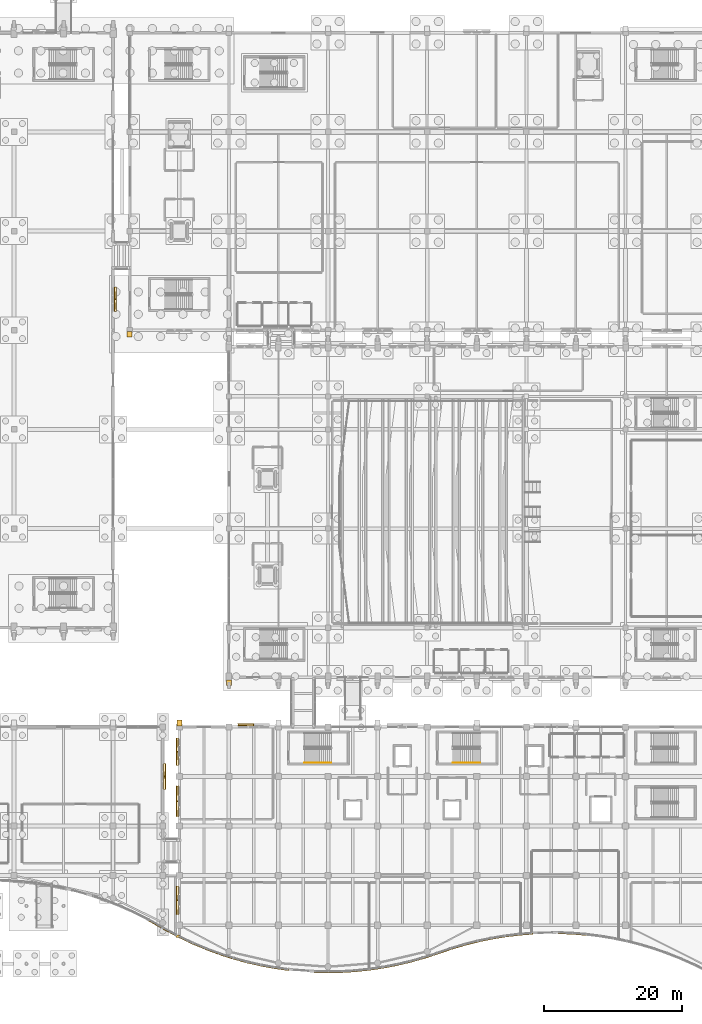
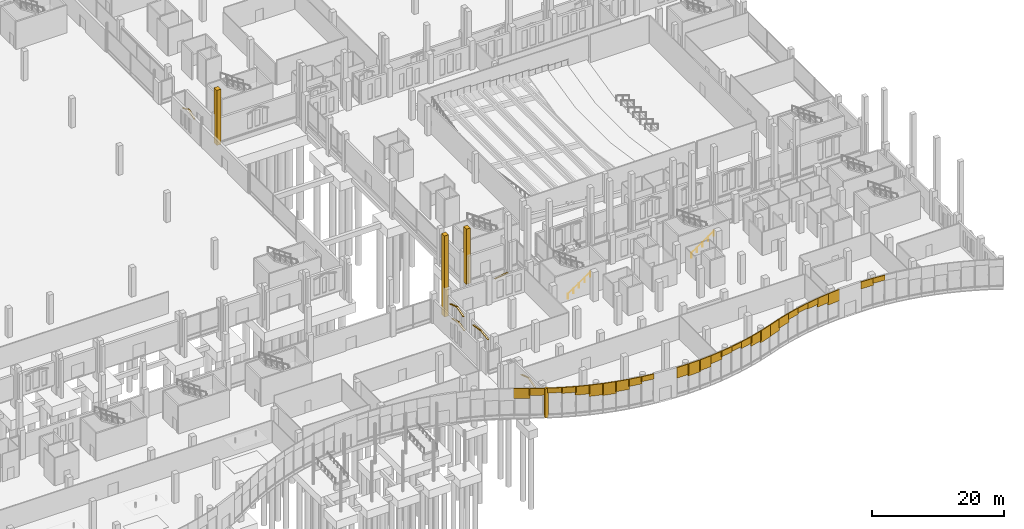
# One storey, part 178 of 192: 43 coverings, 2 railings.
"""IFC4 building model written with IfcOpenShell, lengths in metres."""

from ifc_helpers import new_model, si_unit, direction, frame, origin, origin_2d, place, context, subcontext, project, spatial, polyline, circle, outline, extrude, material, layer, layer_set, type_object, element, save


model = new_model("IFC4")

# Units and contexts
model_context = context("Model", 3, precision=1e-05, world=origin(), true_north=direction((0.0, 1.0)))
body_context = subcontext(model_context, "Body", "Model", "MODEL_VIEW")
ifc_project = project(units=[si_unit("LENGTHUNIT", "METRE"), si_unit("AREAUNIT", "SQUARE_METRE"), si_unit("VOLUMEUNIT", "CUBIC_METRE"), si_unit("PLANEANGLEUNIT", "RADIAN"), si_unit("MASSUNIT", "GRAM", prefix="KILO")], contexts=[model_context])

# Site, building, storey
site_placement = place(None, origin())
site = spatial("IfcSite", under=ifc_project, at=site_placement, CompositionType="ELEMENT")
building_placement = place(site_placement, origin())
building = spatial("IfcBuilding", under=site, at=building_placement, Name="Cendralis Lancet Convention Centre", CompositionType="ELEMENT")
storey_placement = place(building_placement, origin())
storey = spatial("IfcBuildingStorey", under=building, at=storey_placement, Name="L00", CompositionType="ELEMENT", Elevation=0.0)

# Coverings
ifc_material_1 = material(Name="Warm buff sandstone chevron cassette", Category="masonry")
ifc_layer = layer(ifc_material_1, 0.06005859375, Name="Warm buff sandstone chevron cassette")
ifc_layer_set = layer_set([ifc_layer], Name="Warm buff sandstone chevron cassette")
covering_type = type_object("IfcCoveringType", Name="ARC-CV-CLAD1", PredefinedType="CLADDING", material=ifc_layer_set)
covering_1_placement = place(storey_placement, frame((0.0, 0.0, 3.574951171875)))
element("IfcCovering", 1, at=covering_1_placement, inside=storey, type_object=covering_type, Name="South Wave Stone Spandrel Fascia WP-064-WP-065", PredefinedType="CLADDING", context=body_context, shape_type="SweptSolid", body=[
    extrude(outline(polyline([(127.43212890625, 7.88916015625), (129.60498046875, 6.654296875), (129.68408203125, 6.793212890625), (127.51123046875, 8.0283203125), (127.43212890625, 7.88916015625)])), origin(), (0.0, 0.0, 1.0), 1.824951171875),
])
covering_2_placement = place(storey_placement, frame((0.0, 0.0, 4.133056640625)))
element("IfcCovering", 2, at=covering_2_placement, inside=storey, type_object=covering_type, Name="South Wave Stone Spandrel Fascia WP-065-WP-066", PredefinedType="CLADDING", context=body_context, shape_type="SweptSolid", body=[
    extrude(outline(polyline([(129.458984375, 6.735107421875), (131.558837890625, 5.593505859375), (131.63525390625, 5.734130859375), (129.535400390625, 6.875732421875), (129.458984375, 6.735107421875)])), origin(), (0.0, 0.0, 1.0), 1.266845703125),
])
covering_3_placement = place(storey_placement, frame((0.0, 0.0, 4.501953125)))
element("IfcCovering", 3, at=covering_3_placement, inside=storey, type_object=covering_type, Name="South Wave Stone Spandrel Fascia WP-067-WP-068", PredefinedType="CLADDING", context=body_context, shape_type="SweptSolid", body=[
    extrude(outline(polyline([(131.927001953125, 5.406494140625), (133.972900390625, 4.43603515625), (134.04150390625, 4.58056640625), (131.99560546875, 5.551025390625), (131.927001953125, 5.406494140625)])), origin(), (0.0, 0.0, 1.0), 0.89794921875),
])
covering_4_placement = place(storey_placement, frame((0.0, 0.0, 4.322021484375)))
element("IfcCovering", 4, at=covering_4_placement, inside=storey, type_object=covering_type, Name="South Wave Stone Spandrel Fascia WP-068-WP-069", PredefinedType="CLADDING", context=body_context, shape_type="SweptSolid", body=[
    extrude(outline(polyline([(133.82470703125, 4.502197265625), (135.950439453125, 3.6083984375), (136.012451171875, 3.755859375), (133.88671875, 4.649658203125), (133.82470703125, 4.502197265625)])), origin(), (0.0, 0.0, 1.0), 1.077880859375),
])
covering_5_placement = place(storey_placement, frame((0.0, 0.0, 3.81396484375)))
element("IfcCovering", 5, at=covering_5_placement, inside=storey, type_object=covering_type, Name="South Wave Stone Spandrel Fascia WP-069-WP-070", PredefinedType="CLADDING", context=body_context, shape_type="SweptSolid", body=[
    extrude(outline(polyline([(135.79931640625, 3.66796875), (137.9287109375, 2.882080078125), (137.984130859375, 3.0322265625), (135.854736328125, 3.818115234375), (135.79931640625, 3.66796875)])), origin(), (0.0, 0.0, 1.0), 1.5859375),
])
covering_6_placement = place(storey_placement, frame((0.0, 0.0, 3.33203125)))
element("IfcCovering", 6, at=covering_6_placement, inside=storey, type_object=covering_type, Name="South Wave Stone Spandrel Fascia WP-070-WP-071", PredefinedType="CLADDING", context=body_context, shape_type="SweptSolid", body=[
    extrude(outline(polyline([(137.775146484375, 2.93505859375), (139.906005859375, 2.251220703125), (139.954833984375, 2.403564453125), (137.823974609375, 3.08740234375), (137.775146484375, 2.93505859375)])), origin(), (0.0, 0.0, 1.0), 2.06787109375),
])
covering_7_placement = place(storey_placement, frame((0.0, 0.0, 3.208984375)))
element("IfcCovering", 7, at=covering_7_placement, inside=storey, type_object=covering_type, Name="South Wave Stone Spandrel Fascia WP-071-WP-072", PredefinedType="CLADDING", context=body_context, shape_type="SweptSolid", body=[
    extrude(outline(polyline([(139.75, 2.297607421875), (141.883056640625, 1.712646484375), (141.92529296875, 1.866943359375), (139.79248046875, 2.451904296875), (139.75, 2.297607421875)])), origin(), (0.0, 0.0, 1.0), 2.19091796875),
])
covering_8_placement = place(storey_placement, frame((0.0, 0.0, 3.530029296875)))
element("IfcCovering", 8, at=covering_8_placement, inside=storey, type_object=covering_type, Name="South Wave Stone Spandrel Fascia WP-072-WP-073", PredefinedType="CLADDING", context=body_context, shape_type="SweptSolid", body=[
    extrude(outline(polyline([(141.72509765625, 1.752197265625), (143.85986328125, 1.26318359375), (143.895751953125, 1.419189453125), (141.760986328125, 1.908203125), (141.72509765625, 1.752197265625)])), origin(), (0.0, 0.0, 1.0), 1.869873046875),
])
covering_9_placement = place(storey_placement, frame((0.0, 0.0, 4.073974609375)))
element("IfcCovering", 9, at=covering_9_placement, inside=storey, type_object=covering_type, Name="South Wave Stone Spandrel Fascia WP-073-WP-074", PredefinedType="CLADDING", context=body_context, shape_type="SweptSolid", body=[
    extrude(outline(polyline([(143.7001953125, 1.29638671875), (145.83740234375, 0.8994140625), (145.86669921875, 1.056640625), (143.7294921875, 1.45361328125), (143.7001953125, 1.29638671875)])), origin(), (0.0, 0.0, 1.0), 1.325927734375),
])
covering_10_placement = place(storey_placement, frame((0.0, 0.0, 4.4619140625)))
element("IfcCovering", 10, at=covering_10_placement, inside=storey, type_object=covering_type, Name="South Wave Stone Spandrel Fascia WP-074-WP-075", PredefinedType="CLADDING", context=body_context, shape_type="SweptSolid", body=[
    extrude(outline(polyline([(145.677001953125, 0.92578125), (147.814208984375, 0.62060546875), (147.836669921875, 0.779052734375), (145.699462890625, 1.083984375), (145.677001953125, 0.92578125)])), origin(), (0.0, 0.0, 1.0), 0.93798828125),
])
covering_11_placement = place(storey_placement, frame((0.0, 0.0, 3.45703125)))
element("IfcCovering", 11, at=covering_11_placement, inside=storey, type_object=covering_type, Name="South Wave Stone Spandrel Fascia WP-077-WP-078", PredefinedType="CLADDING", context=body_context, shape_type="SweptSolid", body=[
    extrude(outline(polyline([(151.60400390625, 0.317626953125), (153.743896484375, 0.2783203125), (153.746826171875, 0.4384765625), (151.606689453125, 0.4775390625), (151.60400390625, 0.317626953125)])), origin(), (0.0, 0.0, 1.0), 1.94287109375),
])
covering_12_placement = place(storey_placement, frame((0.0, 0.0, 3.197021484375)))
element("IfcCovering", 12, at=covering_12_placement, inside=storey, type_object=covering_type, Name="South Wave Stone Spandrel Fascia WP-078-WP-079", PredefinedType="CLADDING", context=body_context, shape_type="SweptSolid", body=[
    extrude(outline(polyline([(153.580810546875, 0.278076171875), (155.719970703125, 0.326904296875), (155.71630859375, 0.48681640625), (153.5771484375, 0.43798828125), (153.580810546875, 0.278076171875)])), origin(), (0.0, 0.0, 1.0), 2.202880859375),
])
covering_13_placement = place(storey_placement, frame((0.0, 0.0, 3.39111328125)))
element("IfcCovering", 13, at=covering_13_placement, inside=storey, type_object=covering_type, Name="South Wave Stone Spandrel Fascia WP-079-WP-080", PredefinedType="CLADDING", context=body_context, shape_type="SweptSolid", body=[
    extrude(outline(polyline([(155.55712890625, 0.31982421875), (157.69580078125, 0.456787109375), (157.685302734375, 0.616455078125), (155.546875, 0.4794921875), (155.55712890625, 0.31982421875)])), origin(), (0.0, 0.0, 1.0), 2.0087890625),
])
covering_14_placement = place(storey_placement, frame((0.0, 0.0, 3.903076171875)))
element("IfcCovering", 14, at=covering_14_placement, inside=storey, type_object=covering_type, Name="South Wave Stone Spandrel Fascia WP-080-WP-081", PredefinedType="CLADDING", context=body_context, shape_type="SweptSolid", body=[
    extrude(outline(polyline([(157.533447265625, 0.443115234375), (159.67138671875, 0.668701171875), (159.654541015625, 0.827880859375), (157.5166015625, 0.602294921875), (157.533447265625, 0.443115234375)])), origin(), (0.0, 0.0, 1.0), 1.496826171875),
])
covering_15_placement = place(storey_placement, frame((0.0, 0.0, 4.3779296875)))
element("IfcCovering", 15, at=covering_15_placement, inside=storey, type_object=covering_type, Name="South Wave Stone Spandrel Fascia WP-081-WP-082", PredefinedType="CLADDING", context=body_context, shape_type="SweptSolid", body=[
    extrude(outline(polyline([(159.509765625, 0.6484375), (161.64697265625, 0.963134765625), (161.62353515625, 1.12158203125), (159.486328125, 0.806640625), (159.509765625, 0.6484375)])), origin(), (0.0, 0.0, 1.0), 1.02197265625),
])
covering_16_placement = place(storey_placement, frame((0.0, 0.0, 4.487060546875)))
element("IfcCovering", 16, at=covering_16_placement, inside=storey, type_object=covering_type, Name="South Wave Stone Spandrel Fascia WP-082-WP-083", PredefinedType="CLADDING", context=body_context, shape_type="SweptSolid", body=[
    extrude(outline(polyline([(161.486328125, 0.93603515625), (163.623291015625, 1.343017578125), (163.593505859375, 1.5), (161.456298828125, 1.09326171875), (161.486328125, 0.93603515625)])), origin(), (0.0, 0.0, 1.0), 0.912841796875),
])
covering_17_placement = place(storey_placement, frame((0.0, 0.0, 4.154052734375)))
element("IfcCovering", 17, at=covering_17_placement, inside=storey, type_object=covering_type, Name="South Wave Stone Spandrel Fascia WP-083-WP-084", PredefinedType="CLADDING", context=body_context, shape_type="SweptSolid", body=[
    extrude(outline(polyline([(163.464111328125, 1.30908203125), (165.5986328125, 1.808837890625), (165.56201171875, 1.964599609375), (163.427490234375, 1.46484375), (163.464111328125, 1.30908203125)])), origin(), (0.0, 0.0, 1.0), 1.245849609375),
])
covering_18_placement = place(storey_placement, frame((0.0, 0.0, 3.610107421875)))
element("IfcCovering", 18, at=covering_18_placement, inside=storey, type_object=covering_type, Name="South Wave Stone Spandrel Fascia WP-084-WP-085", PredefinedType="CLADDING", context=body_context, shape_type="SweptSolid", body=[
    extrude(outline(polyline([(165.44091796875, 1.768310546875), (167.573486328125, 2.3642578125), (167.530517578125, 2.518310546875), (165.397705078125, 1.922607421875), (165.44091796875, 1.768310546875)])), origin(), (0.0, 0.0, 1.0), 1.789794921875),
])
covering_19_placement = place(storey_placement, frame((0.0, 0.0, 3.23193359375)))
element("IfcCovering", 19, at=covering_19_placement, inside=storey, type_object=covering_type, Name="South Wave Stone Spandrel Fascia WP-085-WP-086", PredefinedType="CLADDING", context=body_context, shape_type="SweptSolid", body=[
    extrude(outline(polyline([(167.41796875, 2.317138671875), (169.548583984375, 3.01171875), (169.498779296875, 3.163818359375), (167.368408203125, 2.46923828125), (167.41796875, 2.317138671875)])), origin(), (0.0, 0.0, 1.0), 2.16796875),
])
covering_20_placement = place(storey_placement, frame((0.0, 0.0, 3.282958984375)))
element("IfcCovering", 20, at=covering_20_placement, inside=storey, type_object=covering_type, Name="South Wave Stone Spandrel Fascia WP-086-WP-087", PredefinedType="CLADDING", context=body_context, shape_type="SweptSolid", body=[
    extrude(outline(polyline([(169.389892578125, 2.95849609375), (171.520751953125, 3.693115234375), (171.46875, 3.84423828125), (169.337890625, 3.10986328125), (169.389892578125, 2.95849609375)])), origin(), (0.0, 0.0, 1.0), 2.116943359375),
])
covering_21_placement = place(storey_placement, frame((0.0, 0.0, 3.72802734375)))
element("IfcCovering", 21, at=covering_21_placement, inside=storey, type_object=covering_type, Name="South Wave Stone Spandrel Fascia WP-087-WP-088", PredefinedType="CLADDING", context=body_context, shape_type="SweptSolid", body=[
    extrude(outline(polyline([(171.352294921875, 3.638916015625), (173.484130859375, 4.277587890625), (173.438232421875, 4.430908203125), (171.306396484375, 3.7919921875), (171.352294921875, 3.638916015625)])), origin(), (0.0, 0.0, 1.0), 1.671875),
])
covering_22_placement = place(storey_placement, frame((0.0, 0.0, 4.257080078125)))
element("IfcCovering", 22, at=covering_22_placement, inside=storey, type_object=covering_type, Name="South Wave Stone Spandrel Fascia WP-088-WP-089", PredefinedType="CLADDING", context=body_context, shape_type="SweptSolid", body=[
    extrude(outline(polyline([(173.3134765625, 4.230224609375), (175.447265625, 4.772216796875), (175.407958984375, 4.92724609375), (173.274169921875, 4.385498046875), (173.3134765625, 4.230224609375)])), origin(), (0.0, 0.0, 1.0), 1.142822265625),
])
covering_23_placement = place(storey_placement, frame((0.0, 0.0, 4.50390625)))
element("IfcCovering", 23, at=covering_23_placement, inside=storey, type_object=covering_type, Name="South Wave Stone Spandrel Fascia WP-089-WP-090", PredefinedType="CLADDING", context=body_context, shape_type="SweptSolid", body=[
    extrude(outline(polyline([(175.274658203125, 4.732177734375), (177.409912109375, 5.178955078125), (177.377197265625, 5.335693359375), (175.24169921875, 4.888916015625), (175.274658203125, 4.732177734375)])), origin(), (0.0, 0.0, 1.0), 0.89599609375),
])
covering_24_placement = place(storey_placement, frame((0.0, 0.0, 4.297119140625)))
element("IfcCovering", 24, at=covering_24_placement, inside=storey, type_object=covering_type, Name="South Wave Stone Spandrel Fascia WP-090-WP-091", PredefinedType="CLADDING", context=body_context, shape_type="SweptSolid", body=[
    extrude(outline(polyline([(177.23583984375, 5.146484375), (179.373779296875, 5.501220703125), (179.347412109375, 5.658935546875), (177.209716796875, 5.30419921875), (177.23583984375, 5.146484375)])), origin(), (0.0, 0.0, 1.0), 1.102783203125),
])
covering_25_placement = place(storey_placement, frame((0.0, 0.0, 3.780029296875)))
element("IfcCovering", 25, at=covering_25_placement, inside=storey, type_object=covering_type, Name="South Wave Stone Spandrel Fascia WP-091-WP-092", PredefinedType="CLADDING", context=body_context, shape_type="SweptSolid", body=[
    extrude(outline(polyline([(179.198486328125, 5.475830078125), (181.336181640625, 5.73974609375), (181.316650390625, 5.8984375), (179.1787109375, 5.634765625), (179.198486328125, 5.475830078125)])), origin(), (0.0, 0.0, 1.0), 1.619873046875),
])
covering_26_placement = place(storey_placement, frame((0.0, 0.0, 3.31201171875)))
element("IfcCovering", 26, at=covering_26_placement, inside=storey, type_object=covering_type, Name="South Wave Stone Spandrel Fascia WP-092-WP-093", PredefinedType="CLADDING", context=body_context, shape_type="SweptSolid", body=[
    extrude(outline(polyline([(181.16015625, 5.7216796875), (183.298583984375, 5.897705078125), (183.285400390625, 6.056884765625), (181.147216796875, 5.881103515625), (181.16015625, 5.7216796875)])), origin(), (0.0, 0.0, 1.0), 2.087890625),
])
covering_27_placement = place(storey_placement, frame((0.0, 0.0, 4.10693359375)))
element("IfcCovering", 27, at=covering_27_placement, inside=storey, type_object=covering_type, Name="South Wave Stone Spandrel Fascia WP-095-WP-096", PredefinedType="CLADDING", context=body_context, shape_type="SweptSolid", body=[
    extrude(outline(polyline([(187.0458984375, 5.9736328125), (189.185791015625, 5.884521484375), (189.1923828125, 6.04443359375), (187.052734375, 6.133544921875), (187.0458984375, 5.9736328125)])), origin(), (0.0, 0.0, 1.0), 1.29296875),
])
covering_28_placement = place(storey_placement, frame((0.0, 0.0, 4.47412109375)))
element("IfcCovering", 28, at=covering_28_placement, inside=storey, type_object=covering_type, Name="South Wave Stone Spandrel Fascia WP-096-WP-097", PredefinedType="CLADDING", context=body_context, shape_type="SweptSolid", body=[
    extrude(outline(polyline([(189.00927734375, 5.8955078125), (191.147705078125, 5.718505859375), (191.160888671875, 5.8779296875), (189.0224609375, 6.054931640625), (189.00927734375, 5.8955078125)])), origin(), (0.0, 0.0, 1.0), 0.92578125),
])
covering_29_placement = place(storey_placement, origin())
element("IfcCovering", 29, at=covering_29_placement, inside=storey, type_object=covering_type, Name="L00 Wave Ribbon 200mm Seismic-Joint Stone Cover Strip", PredefinedType="CLADDING", context=body_context, shape_type="SweptSolid", body=[
    extrude(outline(polyline([(131.5400390625, 5.431396484375), (132.080078125, 5.431396484375), (132.080078125, 5.8115234375), (131.5400390625, 5.8115234375), (131.5400390625, 5.431396484375)])), origin(), (0.0, 0.0, 1.0), 5.39990234375),
])
for number, where, z_axis, x_axis, name in (
    (30, (122.8701171875, 99.852783203125, 3.27001953125), (0.0, 0.380470760302, 0.9247929501), (-1.0, 0.0, 0.0), "L00 Gothic Pointed Lancet Hood-Mould #0019L"),
    (31, (122.8701171875, 98.0830078125, 3.989990234375), (0.0, -0.380470760302, 0.9247929501), (-1.0, 0.0, 0.0), "L00 Gothic Pointed Lancet Hood-Mould #0020R"),
):
    element("IfcCovering", number, at=place(storey_placement, frame(where, z_axis=z_axis, x_axis=x_axis)), inside=storey, type_object=covering_type, Name=name, PredefinedType="CLADDING", context=body_context, shape_type="SweptSolid", body=[
        extrude(outline(polyline([(0.0, 0.0), (0.28515625, 0.0), (0.28515625, 1.8923154634886612), (0.0, 1.8923154634886612), (0.0, 0.0)])), origin(), (0.0, 0.0, -1.0), 0.090087890625),
    ])
covering_30_placement = place(storey_placement, origin())
element("IfcCovering", 32, at=covering_30_placement, inside=storey, type_object=covering_type, Name="Gothic Stepped Stone Buttress Base #0031", PredefinedType="CLADDING", context=body_context, shape_type="SweptSolid", body=[
    extrude(outline(polyline([(138.840087890625, 41.97998046875), (139.56005859375, 41.97998046875), (139.56005859375, 42.830078125), (138.840087890625, 42.830078125), (138.840087890625, 41.97998046875)])), origin(), (0.0, 0.0, 1.0), 10.199951171875),
])
covering_31_placement = place(storey_placement, origin())
element("IfcCovering", 33, at=covering_31_placement, inside=storey, type_object=covering_type, Name="Gothic Stepped Stone Buttress Base #0051", PredefinedType="CLADDING", context=body_context, shape_type="SweptSolid", body=[
    extrude(outline(polyline([(124.43994140625, 92.60009765625), (125.159912109375, 92.60009765625), (125.159912109375, 93.449951171875), (124.43994140625, 93.449951171875), (124.43994140625, 92.60009765625)])), origin(), (0.0, 0.0, 1.0), 10.199951171875),
])
covering_32_placement = place(storey_placement, frame((130.02001953125, 30.659912109375, 3.77001953125), z_axis=(0.0, 0.238885196127, 0.971047817088), x_axis=(-1.0, 0.0, 0.0)))
element("IfcCovering", 34, at=covering_32_placement, inside=storey, type_object=covering_type, Name="L00 Gothic Pointed Lancet Hood-Mould #0237L", PredefinedType="CLADDING", context=body_context, shape_type="SweptSolid", body=[
    extrude(outline(polyline([(0.0, 0.0), (0.284912109375, 0.0), (0.284912109375, 1.9050076454239464), (0.0, 1.9050076454239464), (0.0, 0.0)])), origin(), (0.0, 0.0, -1.0), 0.090087890625),
])
covering_33_placement = place(storey_placement, frame((130.02001953125, 28.7900390625, 4.22509765625), z_axis=(0.0, -0.238855471201, 0.971055129165), x_axis=(-1.0, 0.0, 0.0)))
element("IfcCovering", 35, at=covering_33_placement, inside=storey, type_object=covering_type, Name="L00 Gothic Pointed Lancet Hood-Mould #0238R", PredefinedType="CLADDING", context=body_context, shape_type="SweptSolid", body=[
    extrude(outline(polyline([(0.0, 0.0), (0.284912109375, 0.0), (0.284912109375, 1.9052447185375583), (0.0, 1.9052447185375583), (0.0, 0.0)])), origin(), (0.0, 0.0, -1.0), 0.090087890625),
])
covering_34_placement = place(storey_placement, frame((140.52001953125, 36.419921875, 3.969970703125), z_axis=(-0.154500054002, 0.0, 0.987992779991), x_axis=(0.0, -1.0, 0.0)))
element("IfcCovering", 36, at=covering_34_placement, inside=storey, type_object=covering_type, Name="L00 Gothic Pointed Lancet Hood-Mould #0303L", PredefinedType="CLADDING", context=body_context, shape_type="SweptSolid", body=[
    extrude(outline(polyline([(0.0, 0.0), (0.284912109375, 0.0), (0.284912109375, 2.2976074089039753), (0.0, 2.2976074089039753), (0.0, 0.0)])), origin(), (0.0, 0.0, -1.0), 0.090087890625),
])
for number, where, z_axis, x_axis, name in (
    (37, (131.580078125, 8.739990234375, 3.570068359375), (0.0, -0.304359970314, 0.95255708935), (1.0, 0.0, 0.0), "L00 Gothic Pointed Lancet Hood-Mould #0317L"),
    (38, (131.580078125, 10.81005859375, 4.22509765625), (0.0, 0.304359970314, 0.95255708935), (1.0, 0.0, 0.0), "L00 Gothic Pointed Lancet Hood-Mould #0318R"),
):
    element("IfcCovering", number, at=place(storey_placement, frame(where, z_axis=z_axis, x_axis=x_axis)), inside=storey, type_object=covering_type, Name=name, PredefinedType="CLADDING", context=body_context, shape_type="SweptSolid", body=[
        extrude(outline(polyline([(0.0, 0.0), (0.284912109375, 0.0), (0.284912109375, 2.152153242095284), (0.0, 2.152153242095284), (0.0, 0.0)])), origin(), (0.0, 0.0, -1.0), 0.090087890625),
    ])
for number, where, z_axis, x_axis, name in (
    (39, (131.580078125, 22.9599609375, 3.8701171875), (0.0, -0.157206119213, 0.987565813545), (1.0, 0.0, 0.0), "L00 Gothic Pointed Lancet Hood-Mould #0319L"),
    (40, (131.580078125, 25.2099609375, 4.22509765625), (0.0, 0.157206119213, 0.987565813545), (1.0, 0.0, 0.0), "L00 Gothic Pointed Lancet Hood-Mould #0320R"),
):
    element("IfcCovering", number, at=place(storey_placement, frame(where, z_axis=z_axis, x_axis=x_axis)), inside=storey, type_object=covering_type, Name=name, PredefinedType="CLADDING", context=body_context, shape_type="SweptSolid", body=[
        extrude(outline(polyline([(0.0, 0.0), (0.284912109375, 0.0), (0.284912109375, 2.258057577698239), (0.0, 2.258057577698239), (0.0, 0.0)])), origin(), (0.0, 0.0, -1.0), 0.090087890625),
    ])
for number, where, z_axis, x_axis, name in (
    (41, (131.580078125, 30.419921875, 3.570068359375), (0.0, -0.315522075696, 0.948918236598), (1.0, 0.0, 0.0), "L00 Gothic Pointed Lancet Hood-Mould #0321L"),
    (42, (131.580078125, 32.409912109375, 4.22509765625), (0.0, 0.315522075696, 0.948918236598), (1.0, 0.0, 0.0), "L00 Gothic Pointed Lancet Hood-Mould #0322R"),
):
    element("IfcCovering", number, at=place(storey_placement, frame(where, z_axis=z_axis, x_axis=x_axis)), inside=storey, type_object=covering_type, Name=name, PredefinedType="CLADDING", context=body_context, shape_type="SweptSolid", body=[
        extrude(outline(polyline([(0.0, 0.0), (0.284912109375, 0.0), (0.284912109375, 2.076017329151027), (0.0, 2.076017329151027), (0.0, 0.0)])), origin(), (0.0, 0.0, -1.0), 0.090087890625),
    ])
covering_35_placement = place(storey_placement, origin())
element("IfcCovering", 43, at=covering_35_placement, inside=storey, type_object=covering_type, Name="Gothic Stepped Stone Buttress Base #0080", PredefinedType="CLADDING", context=body_context, shape_type="SweptSolid", body=[
    extrude(outline(polyline([(132.360107421875, 36.97998046875), (131.639892578125, 36.97998046875), (131.639892578125, 36.1298828125), (132.360107421875, 36.1298828125), (132.360107421875, 36.97998046875)])), origin(), (0.0, 0.0, 1.0), 15.0),
])

# Railings
ifc_material_2 = material(Name="Steel S355", Category="steel")
railing_type = type_object("IfcRailingType", Name="ARC-RL-CHR", PredefinedType="HANDRAIL", material=ifc_material_2)
railing_1_placement = place(storey_placement, frame((150.14990234375, 30.800048828125, 0.179931640625)))
element("IfcRailing", 44, at=railing_1_placement, inside=storey, type_object=railing_type, Name="L00 ST-13 stair handrail 1", PredefinedType="HANDRAIL", context=body_context, shape_type="SweptSolid", body=[
    extrude(circle(Radius=0.02392578125, at=origin_2d()), frame((0.0, 0.0, 0.8759765625), z_axis=(0.823567234665, 0.0, 0.567218661528), x_axis=(0.0, 1.0, 0.0)), (0.0, 0.0, 1.0), 4.760009765625),
    extrude(circle(Radius=0.02099609375, at=origin_2d()), origin(), (0.0, 0.0, 1.0), 0.851806640625),
    extrude(circle(Radius=0.02099609375, at=origin_2d()), frame((0.97998046875, 0.0, 0.675048828125)), (0.0, 0.0, 1.0), 0.851806640625),
    extrude(circle(Radius=0.02099609375, at=origin_2d()), frame((1.9599609375, 0.0, 1.35009765625)), (0.0, 0.0, 1.0), 0.851806640625),
    extrude(circle(Radius=0.02099609375, at=origin_2d()), frame((2.940185546875, 0.0, 2.02490234375)), (0.0, 0.0, 1.0), 0.851806640625),
    extrude(circle(Radius=0.02099609375, at=origin_2d()), frame((3.920166015625, 0.0, 2.699951171875)), (0.0, 0.0, 1.0), 0.851806640625),
])
railing_2_placement = place(storey_placement, frame((171.75, 30.800048828125, 0.179931640625)))
element("IfcRailing", 45, at=railing_2_placement, inside=storey, type_object=railing_type, Name="L00 ST-14 stair handrail 1", PredefinedType="HANDRAIL", context=body_context, shape_type="SweptSolid", body=[
    extrude(circle(Radius=0.02392578125, at=origin_2d()), frame((0.0, 0.0, 0.8759765625), z_axis=(0.823550731654, 0.0, 0.567242622158), x_axis=(0.0, 1.0, 0.0)), (0.0, 0.0, 1.0), 4.759765625),
    extrude(circle(Radius=0.02099609375, at=origin_2d()), origin(), (0.0, 0.0, 1.0), 0.851806640625),
    extrude(circle(Radius=0.02099609375, at=origin_2d()), frame((0.97998046875, 0.0, 0.675048828125)), (0.0, 0.0, 1.0), 0.851806640625),
    extrude(circle(Radius=0.02099609375, at=origin_2d()), frame((1.9599609375, 0.0, 1.35009765625)), (0.0, 0.0, 1.0), 0.851806640625),
    extrude(circle(Radius=0.02099609375, at=origin_2d()), frame((2.93994140625, 0.0, 2.02490234375)), (0.0, 0.0, 1.0), 0.851806640625),
    extrude(circle(Radius=0.02099609375, at=origin_2d()), frame((3.919921875, 0.0, 2.699951171875)), (0.0, 0.0, 1.0), 0.851806640625),
])

save(model, "model.ifc")
